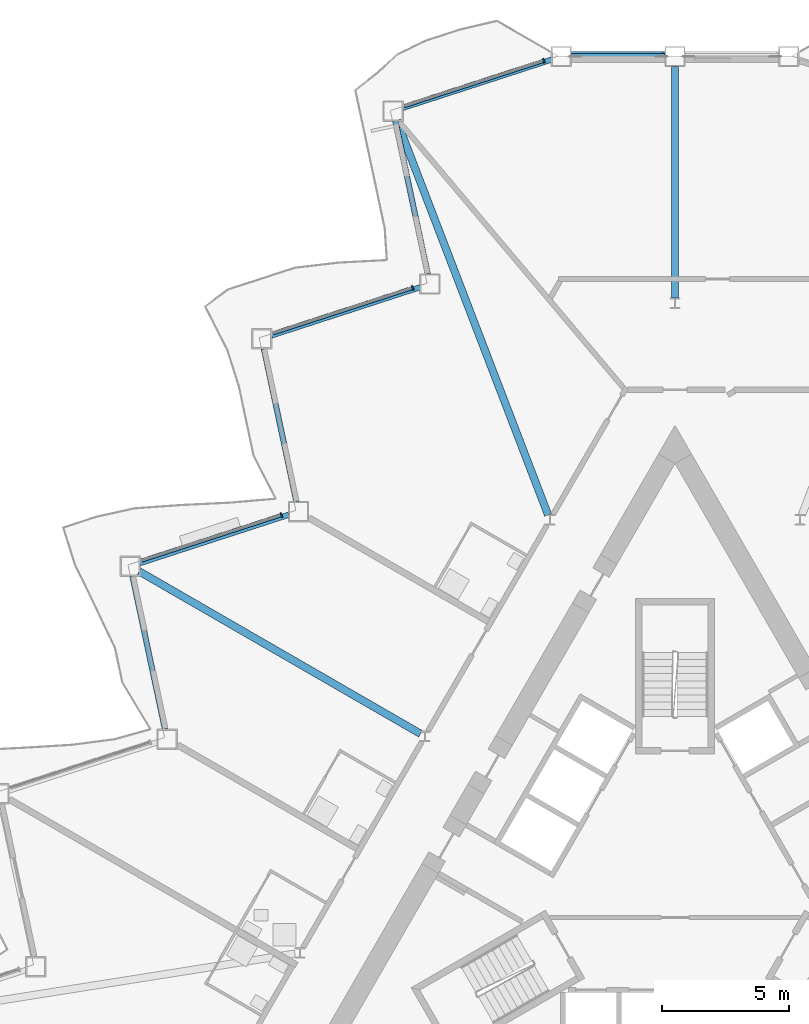
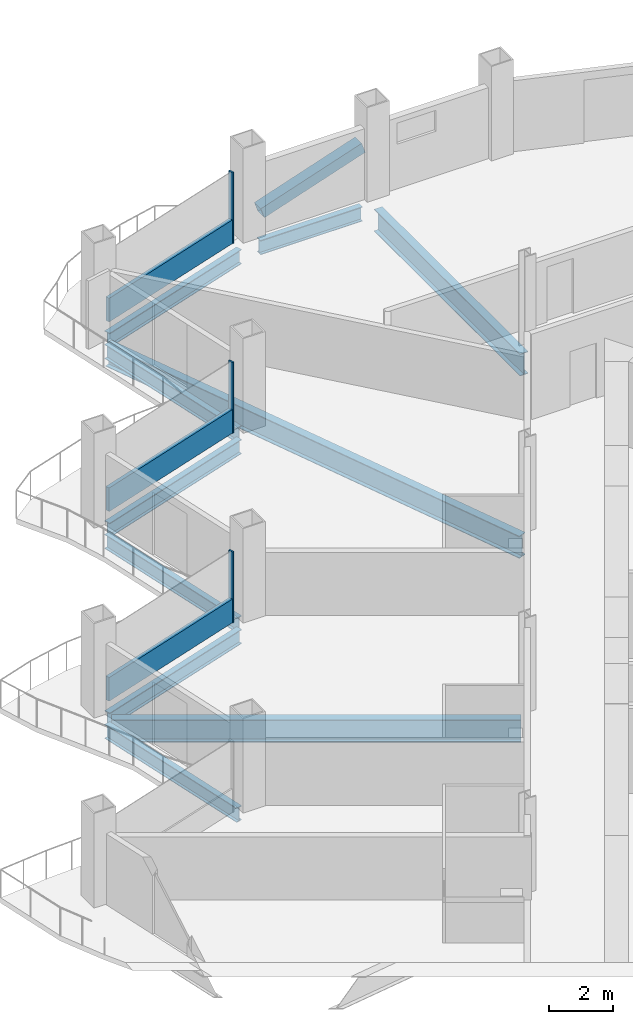
# One storey, part 8 of 23: 10 beams, 7 members, 3 elements without a shape of their own.
"""IFC4 building model written with IfcOpenShell, lengths in metres."""

from ifc_helpers import new_model, si_unit, direction, frame, origin, origin_2d, place, context, subcontext, project, spatial, rectangle, hollow_rectangle, i_section, extrude, material, layer, layer_set, material_profile, profile_set, type_object, element, aggregate, save


model = new_model("IFC4")

# Units and contexts
model_context = context("Model", 3, precision=1e-05, world=origin(), true_north=direction((0.0, 1.0)))
body_context = subcontext(model_context, "Body", "Model", "MODEL_VIEW")
ifc_project = project(units=[si_unit("LENGTHUNIT", "METRE"), si_unit("AREAUNIT", "SQUARE_METRE"), si_unit("VOLUMEUNIT", "CUBIC_METRE"), si_unit("PLANEANGLEUNIT", "RADIAN"), si_unit("MASSUNIT", "GRAM", prefix="KILO")], contexts=[model_context])

# Site, building, storey
site_placement = place(None, origin())
site = spatial("IfcSite", under=ifc_project, at=site_placement, CompositionType="ELEMENT")
building_placement = place(site_placement, origin())
building = spatial("IfcBuilding", under=site, at=building_placement, Name="Cormorant Prow Tower", CompositionType="ELEMENT")
storey_placement = place(building_placement, frame((0.0, 0.0, 208.800048828125)))
storey = spatial("IfcBuildingStorey", under=building, at=storey_placement, Name="L46", CompositionType="ELEMENT", Elevation=208.800048828125)

# Member
ifc_material_1 = material(Name="Structural steel ASTM A500 Gr C", Category="steel")
ifc_material_profile_1 = material_profile(ifc_material_1, hollow_rectangle(XDim=0.406494140625, YDim=0.406494140625, WallThickness=0.01171875, at=origin_2d()), Name="HSS16x16x1/2")
ifc_profile_set_1 = profile_set([ifc_material_profile_1], Name="Structural steel ASTM A500 Gr C")
member_type_1 = type_object("IfcMemberType", Name="Chamfer brace HSS16x16x1/2", PredefinedType="BRACE", material=ifc_profile_set_1)
member_1_placement = place(storey_placement, frame((-4.05322265625, 32.3994140625, 0.739990234375), z_axis=(0.947999999098, 0.0, 0.318270328039), x_axis=(0.0, 1.0, 0.0)))
element("IfcMember", 1, at=member_1_placement, inside=storey, type_object=member_type_1, Name="Chamfer brace BR2 at N01 L46", PredefinedType="BRACE", context=body_context, shape_type="SweptSolid", body=[
    extrude(hollow_rectangle(XDim=0.406494140625, YDim=0.406494140625, WallThickness=0.01171875, at=origin_2d()), origin(), (0.0, 0.0, 1.0), 3.83544921875),
])

# Curtain wall, member
ifc_material_2 = material(Name="Aluminium 6063-T6", Category="aluminium")
ifc_layer = layer(ifc_material_2, 0.179931640625)
ifc_layer_set = layer_set([ifc_layer], Name="Aluminium 6063-T6")
curtain_wall_type = type_object("IfcCurtainWallType", Name="Hotel unitised curtain wall 180", PredefinedType="NOTDEFINED", material=ifc_layer_set)
curtain_wall_1_placement = place(storey_placement, origin())
curtain_wall_1 = element("IfcCurtainWall", 2, at=curtain_wall_1_placement, inside=storey, type_object=curtain_wall_type, Name="Hotel curtain wall WNW00", PredefinedType="NOTDEFINED")
ifc_material_3 = material(Name="Aluminium 6063-T6", Category="aluminium")
ifc_material_profile_2 = material_profile(ifc_material_3, rectangle(XDim=0.179931640625, YDim=0.06005859375, at=origin_2d()), Name="Hotel mullion 60x180")
ifc_profile_set_2 = profile_set([ifc_material_profile_2], Name="Aluminium 6063-T6")
member_type_2 = type_object("IfcMemberType", Name="Hotel mullion 60x180", PredefinedType="MULLION", material=ifc_profile_set_2)
member_2_placement = place(storey_placement, frame((-5.160400390625, 32.232177734375, 0.0), z_axis=(0.0, 0.0, 1.0), x_axis=(0.30901701685, -0.951056508993, 0.0)))
member_2 = element("IfcMember", 3, at=member_2_placement, type_object=member_type_2, Name="Hotel mullion WNW00", PredefinedType="MULLION", context=body_context, shape_type="SweptSolid", body=[
    extrude(rectangle(XDim=0.179931640625, YDim=0.06005859375, at=origin_2d()), origin(), (0.0, 0.0, 1.0), 2.700927734375),
])

curtain_wall_2_placement = place(storey_placement, origin())
curtain_wall_2 = element("IfcCurtainWall", 4, at=curtain_wall_2_placement, inside=storey, type_object=curtain_wall_type, Name="Hotel curtain wall WNW02", PredefinedType="NOTDEFINED")
member_3_placement = place(storey_placement, frame((-10.31591796875, 23.302490234375, 0.0), z_axis=(0.0, 0.0, 1.0), x_axis=(0.309016974489, -0.951056522756, 0.0)))
member_3 = element("IfcMember", 5, at=member_3_placement, type_object=member_type_2, Name="Hotel mullion WNW02", PredefinedType="MULLION", context=body_context, shape_type="SweptSolid", body=[
    extrude(rectangle(XDim=0.179931640625, YDim=0.06005859375, at=origin_2d()), origin(), (0.0, 0.0, 1.0), 2.700927734375),
])

curtain_wall_3_placement = place(storey_placement, origin())
curtain_wall_3 = element("IfcCurtainWall", 6, at=curtain_wall_3_placement, inside=storey, type_object=curtain_wall_type, Name="Hotel curtain wall WNW04", PredefinedType="NOTDEFINED")
member_4_placement = place(storey_placement, frame((-15.471435546875, 14.37255859375, 0.0), z_axis=(0.0, 0.0, 1.0), x_axis=(0.309016974489, -0.951056522756, 0.0)))
member_4 = element("IfcMember", 7, at=member_4_placement, type_object=member_type_2, Name="Hotel mullion WNW04", PredefinedType="MULLION", context=body_context, shape_type="SweptSolid", body=[
    extrude(rectangle(XDim=0.179931640625, YDim=0.06005859375, at=origin_2d()), origin(), (0.0, 0.0, 1.0), 2.700927734375),
])

# Member
ifc_material_4 = material(Name="Terracotta", Category="masonry")
ifc_material_profile_3 = material_profile(ifc_material_4, rectangle(XDim=0.139892578125, YDim=0.89990234375, at=origin_2d()), Name="Hotel terracotta spandrel rail 140x900")
ifc_profile_set_3 = profile_set([ifc_material_profile_3], Name="Terracotta")
member_type_3 = type_object("IfcMemberType", Name="Hotel terracotta spandrel rail 140x900", PredefinedType="USERDEFINED", material=ifc_profile_set_3)
member_5_placement = place(storey_placement, frame((-5.188720703125, 32.222900390625, 0.449951171875), z_axis=(-0.951062500034, -0.308998577715, 0.0), x_axis=(0.308998577715, -0.951062500034, 0.0)))
member_5 = element("IfcMember", 8, at=member_5_placement, type_object=member_type_3, Name="Hotel spandrel rail WNW00", ObjectType="TRANSOM", PredefinedType="USERDEFINED", context=body_context, shape_type="SweptSolid", body=[
    extrude(rectangle(XDim=0.139892578125, YDim=0.89990234375, at=origin_2d()), origin(), (0.0, 0.0, 1.0), 5.74169921875),
])

aggregate(curtain_wall_1, [member_2, member_5])

member_6_placement = place(storey_placement, frame((-10.344482421875, 23.293212890625, 0.449951171875), z_axis=(-0.951045942446, -0.309049535442, 0.0), x_axis=(0.309049535442, -0.951045942446, 0.0)))
member_6 = element("IfcMember", 9, at=member_6_placement, type_object=member_type_3, Name="Hotel spandrel rail WNW02", ObjectType="TRANSOM", PredefinedType="USERDEFINED", context=body_context, shape_type="SweptSolid", body=[
    extrude(rectangle(XDim=0.139892578125, YDim=0.89990234375, at=origin_2d()), origin(), (0.0, 0.0, 1.0), 5.741455078125),
])

aggregate(curtain_wall_2, [member_3, member_6])

member_7_placement = place(storey_placement, frame((-15.5, 14.36328125, 0.449951171875), z_axis=(-0.951062500034, -0.308998577715, 0.0), x_axis=(0.308998577715, -0.951062500034, 0.0)))
member_7 = element("IfcMember", 10, at=member_7_placement, type_object=member_type_3, Name="Hotel spandrel rail WNW04", ObjectType="TRANSOM", PredefinedType="USERDEFINED", context=body_context, shape_type="SweptSolid", body=[
    extrude(rectangle(XDim=0.139892578125, YDim=0.89990234375, at=origin_2d()), origin(), (0.0, 0.0, 1.0), 5.74169921875),
])

aggregate(curtain_wall_3, [member_4, member_7])

# Beams
ifc_material_5 = material(Name="Structural steel ASTM A992 Gr 50", Category="steel")
ifc_material_profile_4 = material_profile(ifc_material_5, i_section(OverallWidth=0.29296875, OverallDepth=0.845703125, WebThickness=0.015380859375, FlangeThickness=0.0244140625, at=origin_2d()), Name="W33x141")
ifc_profile_set_4 = profile_set([ifc_material_profile_4], Name="Structural steel ASTM A992 Gr 50")
beam_type_1 = type_object("IfcBeamType", Name="Radial floor beam W33x141", PredefinedType="BEAM", material=ifc_profile_set_4)
beam_1_placement = place(storey_placement, frame((0.0, 22.901611328125, -0.77294921875), z_axis=(0.0, 1.0, 0.0), x_axis=(-1.0, 0.0, 0.0)))
element("IfcBeam", 11, at=beam_1_placement, inside=storey, type_object=beam_type_1, Name="Radial floor beam FB2 1 L46", PredefinedType="BEAM", context=body_context, shape_type="SweptSolid", body=[
    extrude(i_section(OverallWidth=0.29296875, OverallDepth=0.845703125, WebThickness=0.015380859375, FlangeThickness=0.0244140625, at=origin_2d()), origin(), (0.0, 0.0, 1.0), 9.097900390625),
])
beam_2_placement = place(storey_placement, frame((-4.9873046875, 14.376220703125, -0.77294921875), z_axis=(-0.358301123829, 0.933606075742, 0.0), x_axis=(-0.933606075742, -0.358301123829, 0.0)))
element("IfcBeam", 12, at=beam_2_placement, inside=storey, type_object=beam_type_1, Name="Radial floor beam FB2 2 L46", PredefinedType="BEAM", context=body_context, shape_type="SweptSolid", body=[
    extrude(i_section(OverallWidth=0.29296875, OverallDepth=0.845703125, WebThickness=0.015380859375, FlangeThickness=0.0244140625, at=origin_2d()), origin(), (0.0, 0.0, 1.0), 16.604736328125),
])
beam_3_placement = place(storey_placement, frame((-10.0048828125, 5.7763671875, -0.77294921875), z_axis=(-0.866026069776, 0.499998846467, 0.0), x_axis=(-0.499998846467, -0.866026069776, 0.0)))
element("IfcBeam", 13, at=beam_3_placement, inside=storey, type_object=beam_type_1, Name="Radial floor beam FB2 3 L46", PredefinedType="BEAM", context=body_context, shape_type="SweptSolid", body=[
    extrude(i_section(OverallWidth=0.29296875, OverallDepth=0.845703125, WebThickness=0.015380859375, FlangeThickness=0.0244140625, at=origin_2d()), origin(), (0.0, 0.0, 1.0), 12.76904296875),
])
ifc_material_6 = material(Name="Structural steel ASTM A992 Gr 50", Category="steel")
ifc_material_profile_5 = material_profile(ifc_material_6, i_section(OverallWidth=0.2138671875, OverallDepth=0.549072265625, WebThickness=0.0146484375, FlangeThickness=0.023681640625, at=origin_2d()), Name="W21x93")
ifc_profile_set_5 = profile_set([ifc_material_profile_5], Name="Structural steel ASTM A992 Gr 50")
beam_type_2 = type_object("IfcBeamType", Name="Spandrel beam W21x93", PredefinedType="SPANDREL", material=ifc_profile_set_5)
beam_4_placement = place(storey_placement, frame((-0.39990234375, 32.3994140625, -0.62451171875), z_axis=(-1.0, 0.0, 0.0), x_axis=(0.0, -1.0, 0.0)))
element("IfcBeam", 14, at=beam_4_placement, inside=storey, type_object=beam_type_2, Name="Spandrel beam SB2 N01-WNW00 L46", PredefinedType="SPANDREL", context=body_context, shape_type="SweptSolid", body=[
    extrude(i_section(OverallWidth=0.2138671875, OverallDepth=0.549072265625, WebThickness=0.0146484375, FlangeThickness=0.023681640625, at=origin_2d()), origin(), (0.0, 0.0, 1.0), 3.67041015625),
])
beam_5_placement = place(storey_placement, frame((-4.850830078125, 32.27587890625, -0.62451171875), z_axis=(-0.951057696564, -0.309013361859, 0.0), x_axis=(0.309013361859, -0.951057696564, 0.0)))
element("IfcBeam", 15, at=beam_5_placement, inside=storey, type_object=beam_type_2, Name="Spandrel beam SB2 WNW00-WNW01 L46", PredefinedType="SPANDREL", context=body_context, shape_type="SweptSolid", body=[
    extrude(i_section(OverallWidth=0.2138671875, OverallDepth=0.549072265625, WebThickness=0.0146484375, FlangeThickness=0.023681640625, at=origin_2d()), origin(), (0.0, 0.0, 1.0), 6.14990234375),
])
beam_6_placement = place(storey_placement, frame((-10.996826171875, 29.860595703125, -0.62451171875), z_axis=(0.207904811195, -0.978149063018, 0.0), x_axis=(0.978149063018, 0.207904811195, 0.0)))
element("IfcBeam", 16, at=beam_6_placement, inside=storey, type_object=beam_type_2, Name="Spandrel beam SB2 WNW01-WNW02 L46", PredefinedType="SPANDREL", context=body_context, shape_type="SweptSolid", body=[
    extrude(i_section(OverallWidth=0.2138671875, OverallDepth=0.549072265625, WebThickness=0.0146484375, FlangeThickness=0.023681640625, at=origin_2d()), origin(), (0.0, 0.0, 1.0), 6.149658203125),
])
beam_7_placement = place(storey_placement, frame((-10.015625, 23.330322265625, -0.62451171875), z_axis=(-0.951057696564, -0.309013361859, 0.0), x_axis=(0.309013361859, -0.951057696564, 0.0)))
element("IfcBeam", 17, at=beam_7_placement, inside=storey, type_object=beam_type_2, Name="Spandrel beam SB2 WNW02-WNW03 L46", PredefinedType="SPANDREL", context=body_context, shape_type="SweptSolid", body=[
    extrude(i_section(OverallWidth=0.2138671875, OverallDepth=0.549072265625, WebThickness=0.0146484375, FlangeThickness=0.023681640625, at=origin_2d()), origin(), (0.0, 0.0, 1.0), 6.14990234375),
])
beam_8_placement = place(storey_placement, frame((-16.16162109375, 20.9150390625, -0.62451171875), z_axis=(0.207904811195, -0.978149063018, 0.0), x_axis=(0.978149063018, 0.207904811195, 0.0)))
element("IfcBeam", 18, at=beam_8_placement, inside=storey, type_object=beam_type_2, Name="Spandrel beam SB2 WNW03-WNW04 L46", PredefinedType="SPANDREL", context=body_context, shape_type="SweptSolid", body=[
    extrude(i_section(OverallWidth=0.2138671875, OverallDepth=0.549072265625, WebThickness=0.0146484375, FlangeThickness=0.023681640625, at=origin_2d()), origin(), (0.0, 0.0, 1.0), 6.149658203125),
])
beam_9_placement = place(storey_placement, frame((-15.18017578125, 14.384765625, -0.62451171875), z_axis=(-0.951057696564, -0.309013361859, 0.0), x_axis=(0.309013361859, -0.951057696564, 0.0)))
element("IfcBeam", 19, at=beam_9_placement, inside=storey, type_object=beam_type_2, Name="Spandrel beam SB2 WNW04-WNW05 L46", PredefinedType="SPANDREL", context=body_context, shape_type="SweptSolid", body=[
    extrude(i_section(OverallWidth=0.2138671875, OverallDepth=0.549072265625, WebThickness=0.0146484375, FlangeThickness=0.023681640625, at=origin_2d()), origin(), (0.0, 0.0, 1.0), 6.14990234375),
])
beam_10_placement = place(storey_placement, frame((-21.326416015625, 11.969482421875, -0.62451171875), z_axis=(0.207904811195, -0.978149063018, 0.0), x_axis=(0.978149063018, 0.207904811195, 0.0)))
element("IfcBeam", 20, at=beam_10_placement, inside=storey, type_object=beam_type_2, Name="Spandrel beam SB2 WNW05-WNW06 L46", PredefinedType="SPANDREL", context=body_context, shape_type="SweptSolid", body=[
    extrude(i_section(OverallWidth=0.2138671875, OverallDepth=0.549072265625, WebThickness=0.0146484375, FlangeThickness=0.023681640625, at=origin_2d()), origin(), (0.0, 0.0, 1.0), 6.149658203125),
])

save(model, "model.ifc")
